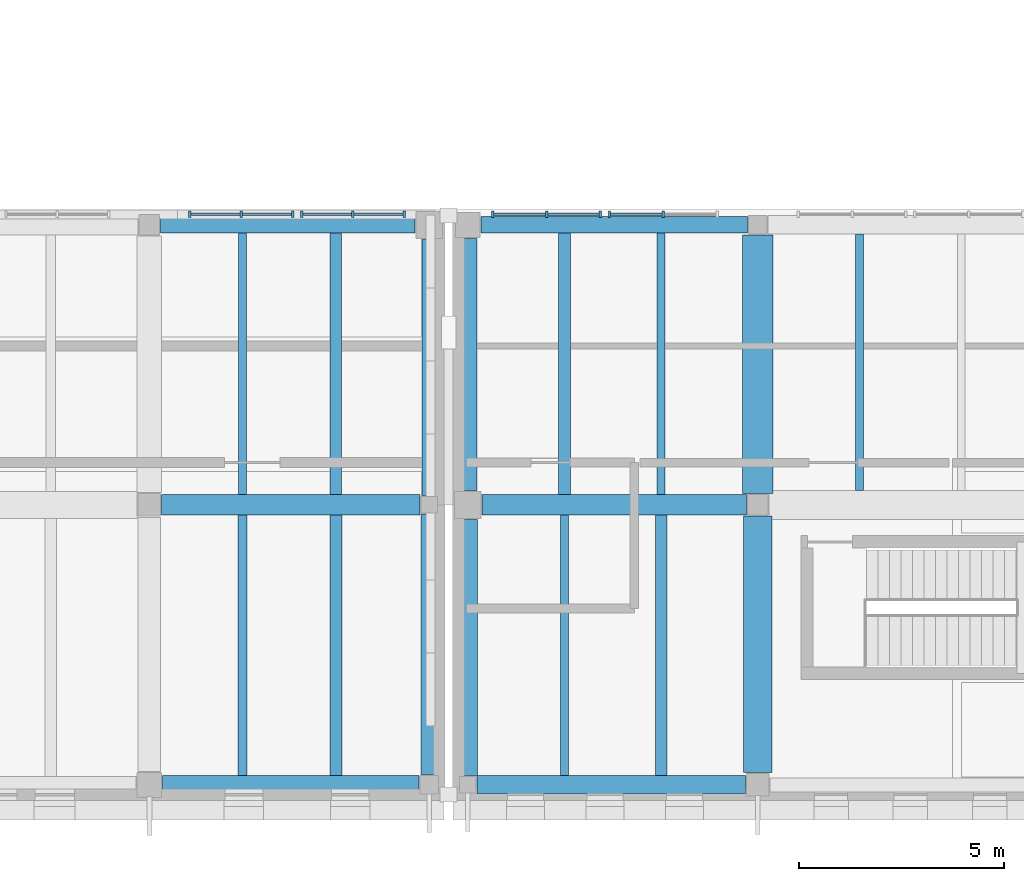
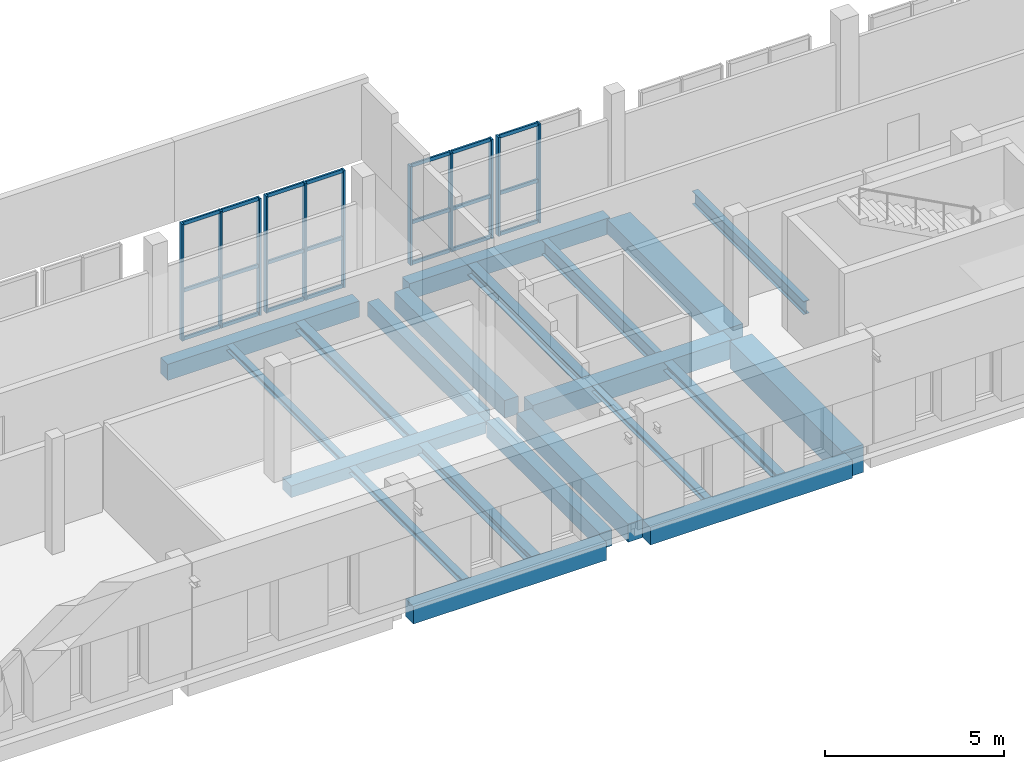
# One storey, part 17 of 76: 32 members, 21 beams, 4 elements without a shape of their own.
"""IFC4 building model written with IfcOpenShell, lengths in metres."""

import ifcopenshell
import ifcopenshell.guid

model = None  # the IFC model being written
_history = None  # IfcOwnerHistory: only IFC2X3 demands one
_inside = {}  # id of a spatial element -> (the spatial element, [elements in it])
_under = {}  # id of a project, library or spatial element -> (it, [spatial elements below it])
_declared = {}  # id of a project -> (the project, [libraries it declares])
_typed = {}  # id of a type object -> (the type object, [elements of that type])
_made_of = {}  # id of a material, layer set ... -> (it, [elements and type objects made of it])


def new_model(schema):
    """Start an empty IFC model of exactly this schema.

    Asked for "IFC4X3", IfcOpenShell would pick the latest addendum, in which some entities
    have other attributes; the version numbers below select the first issue.
    IFC2X3 requires an IfcOwnerHistory on every rooted entity: one is made here for all.
    """
    global model, _history
    if schema == "IFC4X3":
        model = ifcopenshell.file(schema_version=(4, 3, 0, 0))
    else:
        model = ifcopenshell.file(schema=schema)
    _inside.clear()
    _under.clear()
    _declared.clear()
    _typed.clear()
    _made_of.clear()
    _history = None
    if model.schema == "IFC2X3":
        org = make("IfcOrganization", Name="unknown")
        user = make(
            "IfcPersonAndOrganization",
            ThePerson=make("IfcPerson", FamilyName="unknown"),
            TheOrganization=org,
        )
        app = make(
            "IfcApplication",
            ApplicationDeveloper=org,
            Version="unknown",
            ApplicationFullName="unknown",
            ApplicationIdentifier="unknown",
        )
        _history = make(
            "IfcOwnerHistory",
            OwningUser=user,
            OwningApplication=app,
            ChangeAction="ADDED",
            CreationDate=0,
        )
    return model


def make(cls, **values):
    """One entity of the class cls with the attributes given. An attribute that is None is left unset."""
    return model.create_entity(
        cls, **{name: value for name, value in values.items() if value is not None}
    )


def rooted(cls, **values):
    """An entity with a GlobalId (a new one), such as an element, a storey or a relation."""
    return make(cls, GlobalId=ifcopenshell.guid.new(), OwnerHistory=_history, **values)


def si_unit(unit_type, name, prefix=None):
    """IfcSIUnit, for example si_unit("LENGTHUNIT", "METRE", prefix="MILLI")."""
    return make("IfcSIUnit", UnitType=unit_type, Prefix=prefix, Name=name)


def assignment(units):
    """IfcUnitAssignment: the units of a project."""
    return None if units is None else make("IfcUnitAssignment", Units=units)


def point(xyz):
    """IfcCartesianPoint."""
    return None if xyz is None else make("IfcCartesianPoint", Coordinates=xyz)


def direction(xyz):
    """IfcDirection."""
    return None if xyz is None else make("IfcDirection", DirectionRatios=xyz)


def frame(location, z_axis=None, x_axis=None):
    """IfcAxis2Placement3D, a coordinate frame: its origin and axes. An axis left out is left unset."""
    return make(
        "IfcAxis2Placement3D",
        Location=point(location),
        Axis=direction(z_axis),
        RefDirection=direction(x_axis),
    )


def frame_2d(location, x_axis=None):
    """IfcAxis2Placement2D, a coordinate frame in the plane: its origin and x axis."""
    return make(
        "IfcAxis2Placement2D", Location=point(location), RefDirection=direction(x_axis)
    )


def origin():
    """The frame at (0, 0, 0) with its axes left unset."""
    return frame((0.0, 0.0, 0.0))


def origin_2d():
    """The frame at (0, 0) in the plane with its x axis left unset."""
    return frame_2d((0.0, 0.0))


def place(relative_to, where):
    """IfcLocalPlacement: puts the frame where relative to a parent placement (None: the world)."""
    return make(
        "IfcLocalPlacement", PlacementRelTo=relative_to, RelativePlacement=where
    )


def context(
    kind, dimensions, precision=None, world=None, true_north=None, identifier=None
):
    """IfcGeometricRepresentationContext, for example the 3D "Model" context."""
    return make(
        "IfcGeometricRepresentationContext",
        ContextIdentifier=identifier,
        ContextType=kind,
        CoordinateSpaceDimension=dimensions,
        Precision=precision,
        WorldCoordinateSystem=world,
        TrueNorth=true_north,
    )


def subcontext(parent, identifier, kind, view, scale=None):
    """IfcGeometricRepresentationSubContext, for example "Body" below "Model"."""
    return make(
        "IfcGeometricRepresentationSubContext",
        ContextIdentifier=identifier,
        ContextType=kind,
        ParentContext=parent,
        TargetScale=scale,
        TargetView=view,
    )


def project(units=None, contexts=None):
    """IfcProject with its units and contexts."""
    return rooted(
        "IfcProject",
        Name="project",
        RepresentationContexts=contexts,
        UnitsInContext=assignment(units),
    )


def spatial(cls, under=None, at=None, **own):
    """A site, building, storey or space (cls), placed at a placement, below another one or the project."""
    s = rooted(cls, ObjectPlacement=at, **own)
    if under is not None:
        _under.setdefault(under.id(), (under, []))[1].append(s)
    return s


def profile(cls, at=None, kind="AREA", **sizes):
    """A parametric profile (cls). Its sizes go by their IFC names, for example OverallWidth=200.0."""
    return make(cls, ProfileType=kind, Position=at, **sizes)


def rectangle(**sizes):
    """IfcRectangleProfileDef."""
    return profile("IfcRectangleProfileDef", **sizes)


def i_section(**sizes):
    """IfcIShapeProfileDef."""
    return profile("IfcIShapeProfileDef", **sizes)


def extrude(swept, where, along, depth):
    """IfcExtrudedAreaSolid: the profile swept, set in the frame where, extruded along a direction by depth."""
    return make(
        "IfcExtrudedAreaSolid",
        SweptArea=swept,
        Position=where,
        ExtrudedDirection=direction(along),
        Depth=depth,
    )


def shape(context_of_items, identifier, shape_type, items):
    """IfcShapeRepresentation: the items that make up one representation, for example the "Body"."""
    return make(
        "IfcShapeRepresentation",
        ContextOfItems=context_of_items,
        RepresentationIdentifier=identifier,
        RepresentationType=shape_type,
        Items=items,
    )


def material(Name=None, Category=None):
    """IfcMaterial."""
    return make("IfcMaterial", Name=Name, Category=Category)


def layer(
    of_material, thickness, ventilated=None, Name=None, Category=None, Priority=None
):
    """IfcMaterialLayer: one layer of a wall or slab, of a material (None: an air gap)."""
    return make(
        "IfcMaterialLayer",
        Material=of_material,
        LayerThickness=thickness,
        IsVentilated=ventilated,
        Name=Name,
        Category=Category,
        Priority=Priority,
    )


def layer_set(layers, Name=None):
    """IfcMaterialLayerSet."""
    return make("IfcMaterialLayerSet", MaterialLayers=layers, LayerSetName=Name)


def material_profile(
    of_material, cross_section, Name=None, Category=None, Priority=None
):
    """IfcMaterialProfile: a cross section and its material."""
    return make(
        "IfcMaterialProfile",
        Name=Name,
        Material=of_material,
        Profile=cross_section,
        Priority=Priority,
        Category=Category,
    )


def profile_set(profiles, Name=None, composite=None):
    """IfcMaterialProfileSet."""
    return make(
        "IfcMaterialProfileSet",
        Name=Name,
        MaterialProfiles=profiles,
        CompositeProfile=composite,
    )


def made_of(thing, what):
    """Note that an element or type object is made of a material, layer set ...; save() writes the relation."""
    if what is not None:
        _made_of.setdefault(what.id(), (what, []))[1].append(thing)
    return thing


def type_object(cls, material=None, **own):
    """A type object (cls), such as IfcWallType, which elements share."""
    return made_of(rooted(cls, **own), material)


def element(
    cls,
    number,
    at=None,
    inside=None,
    cuts=None,
    type_object=None,
    material=None,
    context=None,
    identifier="Body",
    shape_type=None,
    held_by="IfcProductDefinitionShape",
    body=None,
    shapes=None,
    **own,
):
    """One element of the class cls, such as IfcWall. Its Tag is "e" and its number.

    at: its placement. inside: the storey or other place that contains it. cuts: it is an
    opening in that element (IfcRelVoidsElement). A single representation is given by context,
    identifier, shape_type and body (its items); several are given by shapes. held_by: the class
    of the entity that holds the representations. save() writes the other relations.
    """
    e = rooted(cls, Tag="e%d" % number, ObjectPlacement=at, **own)
    if body is not None:
        shapes = [shape(context, identifier, shape_type, body)]
    if shapes is not None:
        e.Representation = make(held_by, Representations=shapes)
    if inside is not None:
        _inside.setdefault(inside.id(), (inside, []))[1].append(e)
    if cuts is not None:
        rooted(
            "IfcRelVoidsElement", RelatingBuildingElement=cuts, RelatedOpeningElement=e
        )
    if type_object is not None:
        _typed.setdefault(type_object.id(), (type_object, []))[1].append(e)
    return made_of(e, material)


def aggregate(whole, parts):
    """IfcRelAggregates: a whole, such as a stair, and the parts it consists of."""
    return rooted("IfcRelAggregates", RelatingObject=whole, RelatedObjects=parts)


def save(model, path):
    """Write the relations noted so far, then the file.

    IfcRelAggregates (storeys below a building ...), IfcRelContainedInSpatialStructure (elements
    in a storey), IfcRelDefinesByType, IfcRelAssociatesMaterial and IfcRelDeclares: one each for
    every whole, place, type object, material and project.
    """
    for whole, parts in _under.values():
        aggregate(whole, parts)
    for where, things in _inside.values():
        rooted(
            "IfcRelContainedInSpatialStructure",
            RelatedElements=things,
            RelatingStructure=where,
        )
    for kind, things in _typed.values():
        rooted("IfcRelDefinesByType", RelatedObjects=things, RelatingType=kind)
    for what, things in _made_of.values():
        rooted("IfcRelAssociatesMaterial", RelatedObjects=things, RelatingMaterial=what)
    for by, libraries in _declared.values():
        rooted("IfcRelDeclares", RelatingContext=by, RelatedDefinitions=libraries)
    model.write(path)


model = new_model("IFC4")

# Units and contexts
model_context = context("Model", 3, precision=1e-05, world=origin(), true_north=direction((0.0, 1.0)))
body_context = subcontext(model_context, "Body", "Model", "MODEL_VIEW")
ifc_project = project(units=[si_unit("LENGTHUNIT", "METRE"), si_unit("AREAUNIT", "SQUARE_METRE"), si_unit("VOLUMEUNIT", "CUBIC_METRE"), si_unit("PLANEANGLEUNIT", "RADIAN"), si_unit("MASSUNIT", "GRAM", prefix="KILO")], contexts=[model_context])

# Site, building, storey
site_placement = place(None, origin())
site = spatial("IfcSite", under=ifc_project, at=site_placement, CompositionType="ELEMENT")
building_placement = place(site_placement, origin())
building = spatial("IfcBuilding", under=site, at=building_placement, Name="Vardoun Plaza Health Centre", CompositionType="ELEMENT")
storey_placement = place(building_placement, frame((0.0, 0.0, 4.5)))
storey = spatial("IfcBuildingStorey", under=building, at=storey_placement, Name="L01", CompositionType="ELEMENT", Elevation=4.5)

# Beams
ifc_material_1 = material(Name="Concrete C35/45", Category="concrete")
ifc_material_profile_1 = material_profile(ifc_material_1, rectangle(XDim=0.35009765625, YDim=0.5, at=origin_2d()), Name="RC-BM 350x500")
ifc_profile_set_1 = profile_set([ifc_material_profile_1], Name="Concrete C35/45")
beam_type_1 = type_object("IfcBeamType", Name="B-08", PredefinedType="SPANDREL", material=ifc_profile_set_1)
beam_1_placement = place(storey_placement, frame((105.10009765625, 11.925048828125, -0.56494140625), z_axis=(0.0, 1.0, 0.0), x_axis=(-1.0, 0.0, 0.0)))
element("IfcBeam", 1, at=beam_1_placement, inside=storey, type_object=beam_type_1, Name="V4 L01 Beam B-V4-L01-Y40", PredefinedType="SPANDREL", context=body_context, shape_type="SweptSolid", body=[
    extrude(rectangle(XDim=0.35009765625, YDim=0.5, at=origin_2d()), origin(), (0.0, 0.0, 1.0), 6.244873046875),
])
ifc_material_2 = material(Name="Concrete C35/45", Category="concrete")
ifc_material_profile_2 = material_profile(ifc_material_2, rectangle(XDim=0.39990234375, YDim=0.550048828125, at=origin_2d()), Name="RC-BM 400x550")
ifc_profile_set_2 = profile_set([ifc_material_profile_2], Name="Concrete C35/45")
beam_type_2 = type_object("IfcBeamType", Name="B-09", PredefinedType="SPANDREL", material=ifc_profile_set_2)
beam_2_placement = place(storey_placement, frame((98.554931640625, 18.52001953125, -0.590087890625), z_axis=(1.0, 0.0, 0.0), x_axis=(0.0, 1.0, 0.0)))
element("IfcBeam", 2, at=beam_2_placement, inside=storey, type_object=beam_type_2, Name="V4 L01 Beam B-V4-L01-X24", PredefinedType="SPANDREL", context=body_context, shape_type="SweptSolid", body=[
    extrude(rectangle(XDim=0.39990234375, YDim=0.550048828125, at=origin_2d()), origin(), (0.0, 0.0, 1.0), 6.195068359375),
])
beam_3_placement = place(storey_placement, frame((105.10009765625, 5.1298828125, -0.590087890625), z_axis=(0.0, 1.0, 0.0), x_axis=(-1.0, 0.0, 0.0)))
element("IfcBeam", 3, at=beam_3_placement, inside=storey, type_object=beam_type_2, Name="V4 L01 Beam B-V4-L01-Y39", PredefinedType="SPANDREL", context=body_context, shape_type="SweptSolid", body=[
    extrude(rectangle(XDim=0.39990234375, YDim=0.550048828125, at=origin_2d()), origin(), (0.0, 0.0, 1.0), 6.34521484375),
])
beam_4_placement = place(storey_placement, frame((106.364990234375, 18.52001953125, -0.570068359375), z_axis=(1.0, 0.0, 0.0), x_axis=(0.0, 1.0, 0.0)))
element("IfcBeam", 4, at=beam_4_placement, inside=storey, type_object=beam_type_2, Name="V5 L01 Beam B-V5-L01-X03", PredefinedType="SPANDREL", context=body_context, shape_type="SweptSolid", body=[
    extrude(rectangle(XDim=0.39990234375, YDim=0.550048828125, at=origin_2d()), origin(), (0.0, 0.0, 1.0), 6.485107421875),
])
ifc_material_3 = material(Name="Concrete C35/45", Category="concrete")
ifc_material_profile_3 = material_profile(ifc_material_3, rectangle(XDim=0.449951171875, YDim=0.60009765625, at=origin_2d()), Name="RC-BM 450x600")
ifc_profile_set_3 = profile_set([ifc_material_profile_3], Name="Concrete C35/45")
beam_type_3 = type_object("IfcBeamType", Name="B-11", PredefinedType="SPANDREL", material=ifc_profile_set_3)
beam_5_placement = place(storey_placement, frame((98.60498046875, 4.8798828125, -0.614990234375), z_axis=(1.0, 0.0, 0.0), x_axis=(0.0, 1.0, 0.0)))
element("IfcBeam", 5, at=beam_5_placement, inside=storey, type_object=beam_type_3, Name="V4 L01 Beam B-V4-L01-X22", PredefinedType="SPANDREL", context=body_context, shape_type="SweptSolid", body=[
    extrude(rectangle(XDim=0.449951171875, YDim=0.60009765625, at=origin_2d()), origin(), (0.0, 0.0, 1.0), 6.2451171875),
])
beam_6_placement = place(storey_placement, frame((106.264892578125, 4.8798828125, -0.594970703125), z_axis=(1.0, 0.0, 0.0), x_axis=(0.0, 1.0, 0.0)))
element("IfcBeam", 6, at=beam_6_placement, inside=storey, type_object=beam_type_3, Name="V5 L01 Beam B-V5-L01-X01", PredefinedType="SPANDREL", context=body_context, shape_type="SweptSolid", body=[
    extrude(rectangle(XDim=0.449951171875, YDim=0.60009765625, at=origin_2d()), origin(), (0.0, 0.0, 1.0), 6.53515625),
])
beam_7_placement = place(storey_placement, frame((106.0400390625, 12.050048828125, -0.594970703125), z_axis=(0.0, 1.0, 0.0), x_axis=(-1.0, 0.0, 0.0)))
element("IfcBeam", 7, at=beam_7_placement, inside=storey, type_object=beam_type_3, Name="V5 L01 Beam B-V5-L01-Y26", PredefinedType="SPANDREL", context=body_context, shape_type="SweptSolid", body=[
    extrude(rectangle(XDim=0.449951171875, YDim=0.60009765625, at=origin_2d()), origin(), (0.0, 0.0, 1.0), 6.14501953125),
])
ifc_material_4 = material(Name="Concrete C35/45", Category="concrete")
ifc_material_profile_4 = material_profile(ifc_material_4, rectangle(XDim=0.47998046875, YDim=0.6201171875, at=origin_2d()), Name="RC-BM 480x620")
ifc_profile_set_4 = profile_set([ifc_material_profile_4], Name="Concrete C35/45")
beam_type_4 = type_object("IfcBeamType", Name="B-12", PredefinedType="SPANDREL", material=ifc_profile_set_4)
beam_8_placement = place(storey_placement, frame((106.0400390625, 5.10498046875, -0.60498046875), z_axis=(0.0, 1.0, 0.0), x_axis=(-1.0, 0.0, 0.0)))
element("IfcBeam", 8, at=beam_8_placement, inside=storey, type_object=beam_type_4, Name="V5 L01 Beam B-V5-L01-Y25", PredefinedType="SPANDREL", context=body_context, shape_type="SweptSolid", body=[
    extrude(rectangle(XDim=0.47998046875, YDim=0.6201171875, at=origin_2d()), origin(), (0.0, 0.0, 1.0), 6.2451171875),
])
ifc_material_5 = material(Name="Concrete C35/45", Category="concrete")
ifc_material_profile_5 = material_profile(ifc_material_5, rectangle(XDim=0.5, YDim=0.39990234375, at=origin_2d()), Name="RC-BM 500x400")
ifc_profile_set_5 = profile_set([ifc_material_profile_5], Name="Concrete C35/45")
beam_type_5 = type_object("IfcBeamType", Name="B-02", PredefinedType="BEAM", material=ifc_profile_set_5)
beam_9_placement = place(storey_placement, frame((98.580078125, 11.699951171875, -0.514892578125), z_axis=(1.0, 0.0, 0.0), x_axis=(0.0, 1.0, 0.0)))
element("IfcBeam", 9, at=beam_9_placement, inside=storey, type_object=beam_type_5, Name="V4 L01 Beam B-V4-L01-X23", PredefinedType="BEAM", context=body_context, shape_type="SweptSolid", body=[
    extrude(rectangle(XDim=0.5, YDim=0.39990234375, at=origin_2d()), origin(), (0.0, 0.0, 1.0), 6.294921875),
])
ifc_material_6 = material(Name="Concrete C40/50", Category="concrete")
ifc_material_profile_6 = material_profile(ifc_material_6, rectangle(XDim=0.5, YDim=0.64990234375, at=origin_2d()), Name="RC-BM 500x650")
ifc_profile_set_6 = profile_set([ifc_material_profile_6], Name="Concrete C40/50")
beam_type_6 = type_object("IfcBeamType", Name="B-13", PredefinedType="BEAM", material=ifc_profile_set_6)
beam_10_placement = place(storey_placement, frame((106.389892578125, 11.699951171875, -0.6201171875), z_axis=(1.0, 0.0, 0.0), x_axis=(0.0, 1.0, 0.0)))
element("IfcBeam", 10, at=beam_10_placement, inside=storey, type_object=beam_type_6, Name="V5 L01 Beam B-V5-L01-X02", PredefinedType="BEAM", context=body_context, shape_type="SweptSolid", body=[
    extrude(rectangle(XDim=0.5, YDim=0.64990234375, at=origin_2d()), origin(), (0.0, 0.0, 1.0), 6.43505859375),
])
ifc_material_7 = material(Name="Concrete C40/50", Category="concrete")
ifc_material_profile_7 = material_profile(ifc_material_7, rectangle(XDim=0.699951171875, YDim=0.949951171875, at=origin_2d()), Name="RC-BM 700x950")
ifc_profile_set_7 = profile_set([ifc_material_profile_7], Name="Concrete C40/50")
beam_type_7 = type_object("IfcBeamType", Name="B-16", PredefinedType="LINTEL", material=ifc_profile_set_7)
beam_11_placement = place(storey_placement, frame((113.10009765625, 5.179931640625, -0.77001953125), z_axis=(0.0, 1.0, 0.0), x_axis=(-1.0, 0.0, 0.0)))
element("IfcBeam", 11, at=beam_11_placement, inside=storey, type_object=beam_type_7, Name="V5 L01 Beam B-V5-L01-Y27", PredefinedType="LINTEL", context=body_context, shape_type="SweptSolid", body=[
    extrude(rectangle(XDim=0.699951171875, YDim=0.949951171875, at=origin_2d()), origin(), (0.0, 0.0, 1.0), 6.2451171875),
])
ifc_material_8 = material(Name="Concrete C35/45", Category="concrete")
ifc_material_profile_8 = material_profile(ifc_material_8, rectangle(XDim=0.75, YDim=0.47998046875, at=origin_2d()), Name="RC-BM 750x480")
ifc_profile_set_8 = profile_set([ifc_material_profile_8], Name="Concrete C35/45")
beam_type_8 = type_object("IfcBeamType", Name="B-07", PredefinedType="BEAM", material=ifc_profile_set_8)
beam_12_placement = place(storey_placement, frame((113.10009765625, 11.97509765625, -0.534912109375), z_axis=(0.0, 1.0, 0.0), x_axis=(-1.0, 0.0, 0.0)))
element("IfcBeam", 12, at=beam_12_placement, inside=storey, type_object=beam_type_8, Name="V5 L01 Beam B-V5-L01-Y28", PredefinedType="BEAM", context=body_context, shape_type="SweptSolid", body=[
    extrude(rectangle(XDim=0.75, YDim=0.47998046875, at=origin_2d()), origin(), (0.0, 0.0, 1.0), 6.294921875),
])
ifc_material_9 = material(Name="Steel S355J2", Category="steel")
ifc_material_profile_9 = material_profile(ifc_material_9, i_section(OverallWidth=0.199951171875, OverallDepth=0.18994140625, WebThickness=0.006591796875, FlangeThickness=0.010009765625, FilletRadius=0.01806640625, at=origin_2d()), Name="HEA 200")
ifc_profile_set_9 = profile_set([ifc_material_profile_9], Name="Steel S355J2")
beam_type_9 = type_object("IfcBeamType", Name="SB-09", PredefinedType="BEAM", material=ifc_profile_set_9)
beam_13_placement = place(storey_placement, frame((100.552978515625, 11.949951171875, -0.409912109375), z_axis=(0.0, 1.0, 0.0), x_axis=(-1.0, 0.0, 0.0)))
element("IfcBeam", 13, at=beam_13_placement, inside=storey, type_object=beam_type_9, Name="V4 L01 Secondary Floor Beam SJ-V4-L01-22", PredefinedType="BEAM", context=body_context, shape_type="SweptSolid", body=[
    extrude(i_section(OverallWidth=0.199951171875, OverallDepth=0.18994140625, WebThickness=0.006591796875, FlangeThickness=0.010009765625, FilletRadius=0.01806640625, at=origin_2d()), origin(), (0.0, 0.0, 1.0), 6.3701171875),
])
beam_14_placement = place(storey_placement, frame((108.39306640625, 5.10498046875, -0.389892578125), z_axis=(0.0, 1.0, 0.0), x_axis=(-1.0, 0.0, 0.0)))
element("IfcBeam", 14, at=beam_14_placement, inside=storey, type_object=beam_type_9, Name="V5 L01 Secondary Floor Beam SJ-V5-L01-01", PredefinedType="BEAM", context=body_context, shape_type="SweptSolid", body=[
    extrude(i_section(OverallWidth=0.199951171875, OverallDepth=0.18994140625, WebThickness=0.006591796875, FlangeThickness=0.010009765625, FilletRadius=0.01806640625, at=origin_2d()), origin(), (0.0, 0.0, 1.0), 6.344970703125),
])
ifc_material_10 = material(Name="Steel S355J2", Category="steel")
ifc_material_profile_10 = material_profile(ifc_material_10, i_section(OverallWidth=0.219970703125, OverallDepth=0.2099609375, WebThickness=0.007080078125, FlangeThickness=0.010986328125, FilletRadius=0.01806640625, at=origin_2d()), Name="HEA 220")
ifc_profile_set_10 = profile_set([ifc_material_profile_10], Name="Steel S355J2")
beam_type_10 = type_object("IfcBeamType", Name="SB-08", PredefinedType="BEAM", material=ifc_profile_set_10)
beam_15_placement = place(storey_placement, frame((100.552978515625, 5.10498046875, -0.419921875), z_axis=(0.0, 1.0, 0.0), x_axis=(-1.0, 0.0, 0.0)))
element("IfcBeam", 15, at=beam_15_placement, inside=storey, type_object=beam_type_10, Name="V4 L01 Secondary Floor Beam SJ-V4-L01-21", PredefinedType="BEAM", context=body_context, shape_type="SweptSolid", body=[
    extrude(i_section(OverallWidth=0.219970703125, OverallDepth=0.2099609375, WebThickness=0.007080078125, FlangeThickness=0.010986328125, FilletRadius=0.01806640625, at=origin_2d()), origin(), (0.0, 0.0, 1.0), 6.344970703125),
])
ifc_material_11 = material(Name="Steel S355J2", Category="steel")
ifc_material_profile_11 = material_profile(ifc_material_11, i_section(OverallWidth=0.280029296875, OverallDepth=0.280029296875, WebThickness=0.010498046875, FlangeThickness=0.01806640625, FilletRadius=0.02392578125, at=origin_2d()), Name="HEB 280")
ifc_profile_set_11 = profile_set([ifc_material_profile_11], Name="Steel S355J2")
beam_type_11 = type_object("IfcBeamType", Name="SB-02", PredefinedType="BEAM", material=ifc_profile_set_11)
beam_16_placement = place(storey_placement, frame((102.826904296875, 11.949951171875, -0.455078125), z_axis=(0.0, 1.0, 0.0), x_axis=(-1.0, 0.0, 0.0)))
element("IfcBeam", 16, at=beam_16_placement, inside=storey, type_object=beam_type_11, Name="V4 L01 Secondary Floor Beam SJ-V4-L01-24", PredefinedType="BEAM", context=body_context, shape_type="SweptSolid", body=[
    extrude(i_section(OverallWidth=0.280029296875, OverallDepth=0.280029296875, WebThickness=0.010498046875, FlangeThickness=0.01806640625, FilletRadius=0.02392578125, at=origin_2d()), origin(), (0.0, 0.0, 1.0), 6.3701171875),
])
beam_17_placement = place(storey_placement, frame((110.7470703125, 5.10498046875, -0.43505859375), z_axis=(0.0, 1.0, 0.0), x_axis=(-1.0, 0.0, 0.0)))
element("IfcBeam", 17, at=beam_17_placement, inside=storey, type_object=beam_type_11, Name="V5 L01 Secondary Floor Beam SJ-V5-L01-03", PredefinedType="BEAM", context=body_context, shape_type="SweptSolid", body=[
    extrude(i_section(OverallWidth=0.280029296875, OverallDepth=0.280029296875, WebThickness=0.010498046875, FlangeThickness=0.01806640625, FilletRadius=0.02392578125, at=origin_2d()), origin(), (0.0, 0.0, 1.0), 6.344970703125),
])
ifc_material_12 = material(Name="Steel S355J2", Category="steel")
ifc_material_profile_12 = material_profile(ifc_material_12, i_section(OverallWidth=0.300048828125, OverallDepth=0.360107421875, WebThickness=0.012451171875, FlangeThickness=0.0224609375, FilletRadius=0.027099609375, at=origin_2d()), Name="HEB 360")
ifc_profile_set_12 = profile_set([ifc_material_profile_12], Name="Steel S355J2")
beam_type_12 = type_object("IfcBeamType", Name="RB-04", PredefinedType="BEAM", material=ifc_profile_set_12)
beam_18_placement = place(storey_placement, frame((102.826904296875, 5.10498046875, -0.4951171875), z_axis=(0.0, 1.0, 0.0), x_axis=(-1.0, 0.0, 0.0)))
element("IfcBeam", 18, at=beam_18_placement, inside=storey, type_object=beam_type_12, Name="V4 L01 Secondary Floor Beam SJ-V4-L01-23", PredefinedType="BEAM", context=body_context, shape_type="SweptSolid", body=[
    extrude(i_section(OverallWidth=0.300048828125, OverallDepth=0.360107421875, WebThickness=0.012451171875, FlangeThickness=0.0224609375, FilletRadius=0.027099609375, at=origin_2d()), origin(), (0.0, 0.0, 1.0), 6.344970703125),
])
beam_19_placement = place(storey_placement, frame((108.39306640625, 11.949951171875, -0.47509765625), z_axis=(0.0, 1.0, 0.0), x_axis=(-1.0, 0.0, 0.0)))
element("IfcBeam", 19, at=beam_19_placement, inside=storey, type_object=beam_type_12, Name="V5 L01 Secondary Floor Beam SJ-V5-L01-02", PredefinedType="BEAM", context=body_context, shape_type="SweptSolid", body=[
    extrude(i_section(OverallWidth=0.300048828125, OverallDepth=0.360107421875, WebThickness=0.012451171875, FlangeThickness=0.0224609375, FilletRadius=0.027099609375, at=origin_2d()), origin(), (0.0, 0.0, 1.0), 6.3701171875),
])
ifc_material_13 = material(Name="Steel S355J2", Category="steel")
ifc_material_profile_13 = material_profile(ifc_material_13, i_section(OverallWidth=0.18994140625, OverallDepth=0.449951171875, WebThickness=0.009521484375, FlangeThickness=0.0146484375, FilletRadius=0.02099609375, at=origin_2d()), Name="IPE 450")
ifc_profile_set_13 = profile_set([ifc_material_profile_13], Name="Steel S355J2")
beam_type_13 = type_object("IfcBeamType", Name="SB-11", PredefinedType="BEAM", material=ifc_profile_set_13)
beam_20_placement = place(storey_placement, frame((115.579833984375, 12.050048828125, -0.52099609375), z_axis=(0.0, 1.0, 0.0), x_axis=(-1.0, 0.0, 0.0)))
element("IfcBeam", 20, at=beam_20_placement, inside=storey, type_object=beam_type_13, Name="V5 L01 Secondary Floor Beam SJ-V5-L01-05", PredefinedType="BEAM", context=body_context, shape_type="SweptSolid", body=[
    extrude(i_section(OverallWidth=0.18994140625, OverallDepth=0.449951171875, WebThickness=0.009521484375, FlangeThickness=0.0146484375, FilletRadius=0.02099609375, at=origin_2d()), origin(), (0.0, 0.0, 1.0), 6.244873046875),
])
ifc_material_14 = material(Name="Steel S355J2", Category="steel")
ifc_material_profile_14 = material_profile(ifc_material_14, i_section(OverallWidth=0.199951171875, OverallDepth=0.5, WebThickness=0.01025390625, FlangeThickness=0.01611328125, FilletRadius=0.02099609375, at=origin_2d()), Name="IPE 500")
ifc_profile_set_14 = profile_set([ifc_material_profile_14], Name="Steel S355J2")
beam_type_14 = type_object("IfcBeamType", Name="SB-10", PredefinedType="BEAM", material=ifc_profile_set_14)
beam_21_placement = place(storey_placement, frame((110.7470703125, 11.949951171875, -0.544921875), z_axis=(0.0, 1.0, 0.0), x_axis=(-1.0, 0.0, 0.0)))
element("IfcBeam", 21, at=beam_21_placement, inside=storey, type_object=beam_type_14, Name="V5 L01 Secondary Floor Beam SJ-V5-L01-04", PredefinedType="BEAM", context=body_context, shape_type="SweptSolid", body=[
    extrude(i_section(OverallWidth=0.199951171875, OverallDepth=0.5, WebThickness=0.01025390625, FlangeThickness=0.01611328125, FilletRadius=0.02099609375, at=origin_2d()), origin(), (0.0, 0.0, 1.0), 6.3701171875),
])

# Curtain wall, members
ifc_material_15 = material(Name="Aluminium Alloy EN AW-6063-T6 and Low-E Glass", Category="aluminium")
ifc_layer = layer(ifc_material_15, 0.14990234375)
ifc_layer_set = layer_set([ifc_layer], Name="Aluminium Alloy EN AW-6063-T6 and Low-E Glass")
curtain_wall_type = type_object("IfcCurtainWallType", Name="CW-03", PredefinedType="NOTDEFINED", material=ifc_layer_set)
curtain_wall_1_placement = place(storey_placement, origin())
curtain_wall_1 = element("IfcCurtainWall", 22, at=curtain_wall_1_placement, inside=storey, type_object=curtain_wall_type, Name="Curtain Wall CW-V4-131", PredefinedType="NOTDEFINED")
ifc_material_16 = material(Name="Aluminium Alloy EN AW-6063-T6", Category="aluminium")
ifc_material_profile_15 = material_profile(ifc_material_16, rectangle(XDim=0.159912109375, YDim=0.06005859375, at=origin_2d()), Name="CWM 60x160")
ifc_profile_set_15 = profile_set([ifc_material_profile_15], Name="Aluminium Alloy EN AW-6063-T6")
member_type_1 = type_object("IfcMemberType", Name="CW-M1", PredefinedType="MULLION", material=ifc_profile_set_15)
member_1_placement = place(storey_placement, frame((99.27001953125, 18.780029296875, 0.0), z_axis=(0.0, 0.0, 1.0), x_axis=(0.0, 1.0, 0.0)))
member_1 = element("IfcMember", 23, at=member_1_placement, type_object=member_type_1, Name="CW-V4-131 mullion 1", PredefinedType="MULLION", context=body_context, shape_type="SweptSolid", body=[
    extrude(rectangle(XDim=0.159912109375, YDim=0.06005859375, at=origin_2d()), origin(), (0.0, 0.0, 1.0), 3.9951171875),
])
member_2_placement = place(storey_placement, frame((100.52001953125, 18.780029296875, 0.0), z_axis=(0.0, 0.0, 1.0), x_axis=(0.0, 1.0, 0.0)))
member_2 = element("IfcMember", 24, at=member_2_placement, type_object=member_type_1, Name="CW-V4-131 mullion 2", PredefinedType="MULLION", context=body_context, shape_type="SweptSolid", body=[
    extrude(rectangle(XDim=0.159912109375, YDim=0.06005859375, at=origin_2d()), origin(), (0.0, 0.0, 1.0), 3.9951171875),
])
member_3_placement = place(storey_placement, frame((101.77001953125, 18.780029296875, 0.0), z_axis=(0.0, 0.0, 1.0), x_axis=(0.0, 1.0, 0.0)))
member_3 = element("IfcMember", 25, at=member_3_placement, type_object=member_type_1, Name="CW-V4-131 mullion 3", PredefinedType="MULLION", context=body_context, shape_type="SweptSolid", body=[
    extrude(rectangle(XDim=0.159912109375, YDim=0.06005859375, at=origin_2d()), origin(), (0.0, 0.0, 1.0), 3.9951171875),
])

curtain_wall_2_placement = place(storey_placement, origin())
curtain_wall_2 = element("IfcCurtainWall", 26, at=curtain_wall_2_placement, inside=storey, type_object=curtain_wall_type, Name="Curtain Wall CW-V4-132", PredefinedType="NOTDEFINED")
member_4_placement = place(storey_placement, frame((101.989990234375, 18.780029296875, 0.0), z_axis=(0.0, 0.0, 1.0), x_axis=(0.0, 1.0, 0.0)))
member_4 = element("IfcMember", 27, at=member_4_placement, type_object=member_type_1, Name="CW-V4-132 mullion 1", PredefinedType="MULLION", context=body_context, shape_type="SweptSolid", body=[
    extrude(rectangle(XDim=0.159912109375, YDim=0.06005859375, at=origin_2d()), origin(), (0.0, 0.0, 1.0), 3.9951171875),
])
member_5_placement = place(storey_placement, frame((103.239990234375, 18.780029296875, 0.0), z_axis=(0.0, 0.0, 1.0), x_axis=(0.0, 1.0, 0.0)))
member_5 = element("IfcMember", 28, at=member_5_placement, type_object=member_type_1, Name="CW-V4-132 mullion 2", PredefinedType="MULLION", context=body_context, shape_type="SweptSolid", body=[
    extrude(rectangle(XDim=0.159912109375, YDim=0.06005859375, at=origin_2d()), origin(), (0.0, 0.0, 1.0), 3.9951171875),
])
member_6_placement = place(storey_placement, frame((104.489990234375, 18.780029296875, 0.0), z_axis=(0.0, 0.0, 1.0), x_axis=(0.0, 1.0, 0.0)))
member_6 = element("IfcMember", 29, at=member_6_placement, type_object=member_type_1, Name="CW-V4-132 mullion 3", PredefinedType="MULLION", context=body_context, shape_type="SweptSolid", body=[
    extrude(rectangle(XDim=0.159912109375, YDim=0.06005859375, at=origin_2d()), origin(), (0.0, 0.0, 1.0), 3.9951171875),
])

curtain_wall_3_placement = place(storey_placement, origin())
curtain_wall_3 = element("IfcCurtainWall", 30, at=curtain_wall_3_placement, inside=storey, type_object=curtain_wall_type, Name="Curtain Wall CW-V5-149", PredefinedType="NOTDEFINED")
member_7_placement = place(storey_placement, frame((106.650146484375, 18.780029296875, 0.0), z_axis=(0.0, 0.0, 1.0), x_axis=(0.0, 1.0, 0.0)))
member_7 = element("IfcMember", 31, at=member_7_placement, type_object=member_type_1, Name="CW-V5-149 mullion 1", PredefinedType="MULLION", context=body_context, shape_type="SweptSolid", body=[
    extrude(rectangle(XDim=0.159912109375, YDim=0.06005859375, at=origin_2d()), origin(), (0.0, 0.0, 1.0), 3.389892578125),
])
member_8_placement = place(storey_placement, frame((107.9599609375, 18.780029296875, 0.0), z_axis=(0.0, 0.0, 1.0), x_axis=(0.0, 1.0, 0.0)))
member_8 = element("IfcMember", 32, at=member_8_placement, type_object=member_type_1, Name="CW-V5-149 mullion 2", PredefinedType="MULLION", context=body_context, shape_type="SweptSolid", body=[
    extrude(rectangle(XDim=0.159912109375, YDim=0.06005859375, at=origin_2d()), origin(), (0.0, 0.0, 1.0), 3.389892578125),
])
member_9_placement = place(storey_placement, frame((109.27001953125, 18.780029296875, 0.0), z_axis=(0.0, 0.0, 1.0), x_axis=(0.0, 1.0, 0.0)))
member_9 = element("IfcMember", 33, at=member_9_placement, type_object=member_type_1, Name="CW-V5-149 mullion 3", PredefinedType="MULLION", context=body_context, shape_type="SweptSolid", body=[
    extrude(rectangle(XDim=0.159912109375, YDim=0.06005859375, at=origin_2d()), origin(), (0.0, 0.0, 1.0), 3.389892578125),
])

curtain_wall_4_placement = place(storey_placement, origin())
curtain_wall_4 = element("IfcCurtainWall", 34, at=curtain_wall_4_placement, inside=storey, type_object=curtain_wall_type, Name="Curtain Wall CW-V5-150", PredefinedType="NOTDEFINED")
member_10_placement = place(storey_placement, frame((109.489990234375, 18.780029296875, 0.0), z_axis=(0.0, 0.0, 1.0), x_axis=(0.0, 1.0, 0.0)))
member_10 = element("IfcMember", 35, at=member_10_placement, type_object=member_type_1, Name="CW-V5-150 mullion 1", PredefinedType="MULLION", context=body_context, shape_type="SweptSolid", body=[
    extrude(rectangle(XDim=0.159912109375, YDim=0.06005859375, at=origin_2d()), origin(), (0.0, 0.0, 1.0), 3.389892578125),
])
member_11_placement = place(storey_placement, frame((110.800048828125, 18.780029296875, 0.0), z_axis=(0.0, 0.0, 1.0), x_axis=(0.0, 1.0, 0.0)))
member_11 = element("IfcMember", 36, at=member_11_placement, type_object=member_type_1, Name="CW-V5-150 mullion 2", PredefinedType="MULLION", context=body_context, shape_type="SweptSolid", body=[
    extrude(rectangle(XDim=0.159912109375, YDim=0.06005859375, at=origin_2d()), origin(), (0.0, 0.0, 1.0), 3.389892578125),
])

# Member
ifc_material_17 = material(Name="Aluminium Alloy EN AW-6063-T6", Category="aluminium")
ifc_material_profile_16 = material_profile(ifc_material_17, rectangle(XDim=0.06005859375, YDim=0.1201171875, at=origin_2d()), Name="CWT 60x120")
ifc_profile_set_16 = profile_set([ifc_material_profile_16], Name="Aluminium Alloy EN AW-6063-T6")
member_type_2 = type_object("IfcMemberType", Name="CW-T1", PredefinedType="USERDEFINED", material=ifc_profile_set_16)
member_12_placement = place(storey_placement, frame((99.300048828125, 18.780029296875, 0.030029296875), z_axis=(1.0, 0.0, 0.0), x_axis=(0.0, 1.0, 0.0)))
member_12 = element("IfcMember", 37, at=member_12_placement, type_object=member_type_2, Name="CW-V4-131 transom 1.1", ObjectType="TRANSOM", PredefinedType="USERDEFINED", context=body_context, shape_type="SweptSolid", body=[
    extrude(rectangle(XDim=0.06005859375, YDim=0.1201171875, at=origin_2d()), origin(), (0.0, 0.0, 1.0), 1.18994140625),
])

member_13_placement = place(storey_placement, frame((99.300048828125, 18.780029296875, 1.677978515625), z_axis=(1.0, 0.0, 0.0), x_axis=(0.0, 1.0, 0.0)))
member_13 = element("IfcMember", 38, at=member_13_placement, type_object=member_type_2, Name="CW-V4-131 transom 1.2", ObjectType="TRANSOM", PredefinedType="USERDEFINED", context=body_context, shape_type="SweptSolid", body=[
    extrude(rectangle(XDim=0.06005859375, YDim=0.1201171875, at=origin_2d()), origin(), (0.0, 0.0, 1.0), 1.18994140625),
])

member_14_placement = place(storey_placement, frame((99.300048828125, 18.780029296875, 3.965087890625), z_axis=(1.0, 0.0, 0.0), x_axis=(0.0, 1.0, 0.0)))
member_14 = element("IfcMember", 39, at=member_14_placement, type_object=member_type_2, Name="CW-V4-131 transom 1.3", ObjectType="TRANSOM", PredefinedType="USERDEFINED", context=body_context, shape_type="SweptSolid", body=[
    extrude(rectangle(XDim=0.06005859375, YDim=0.1201171875, at=origin_2d()), origin(), (0.0, 0.0, 1.0), 1.18994140625),
])

member_15_placement = place(storey_placement, frame((100.550048828125, 18.780029296875, 0.030029296875), z_axis=(1.0, 0.0, 0.0), x_axis=(0.0, 1.0, 0.0)))
member_15 = element("IfcMember", 40, at=member_15_placement, type_object=member_type_2, Name="CW-V4-131 transom 2.1", ObjectType="TRANSOM", PredefinedType="USERDEFINED", context=body_context, shape_type="SweptSolid", body=[
    extrude(rectangle(XDim=0.06005859375, YDim=0.1201171875, at=origin_2d()), origin(), (0.0, 0.0, 1.0), 1.18994140625),
])

member_16_placement = place(storey_placement, frame((100.550048828125, 18.780029296875, 1.677978515625), z_axis=(1.0, 0.0, 0.0), x_axis=(0.0, 1.0, 0.0)))
member_16 = element("IfcMember", 41, at=member_16_placement, type_object=member_type_2, Name="CW-V4-131 transom 2.2", ObjectType="TRANSOM", PredefinedType="USERDEFINED", context=body_context, shape_type="SweptSolid", body=[
    extrude(rectangle(XDim=0.06005859375, YDim=0.1201171875, at=origin_2d()), origin(), (0.0, 0.0, 1.0), 1.18994140625),
])

member_17_placement = place(storey_placement, frame((100.550048828125, 18.780029296875, 3.965087890625), z_axis=(1.0, 0.0, 0.0), x_axis=(0.0, 1.0, 0.0)))
member_17 = element("IfcMember", 42, at=member_17_placement, type_object=member_type_2, Name="CW-V4-131 transom 2.3", ObjectType="TRANSOM", PredefinedType="USERDEFINED", context=body_context, shape_type="SweptSolid", body=[
    extrude(rectangle(XDim=0.06005859375, YDim=0.1201171875, at=origin_2d()), origin(), (0.0, 0.0, 1.0), 1.18994140625),
])

aggregate(curtain_wall_1, [member_1, member_2, member_3, member_12, member_13, member_14, member_15, member_16, member_17])

member_18_placement = place(storey_placement, frame((102.02001953125, 18.780029296875, 0.030029296875), z_axis=(1.0, 0.0, 0.0), x_axis=(0.0, 1.0, 0.0)))
member_18 = element("IfcMember", 43, at=member_18_placement, type_object=member_type_2, Name="CW-V4-132 transom 1.1", ObjectType="TRANSOM", PredefinedType="USERDEFINED", context=body_context, shape_type="SweptSolid", body=[
    extrude(rectangle(XDim=0.06005859375, YDim=0.1201171875, at=origin_2d()), origin(), (0.0, 0.0, 1.0), 1.18994140625),
])

member_19_placement = place(storey_placement, frame((102.02001953125, 18.780029296875, 1.677978515625), z_axis=(1.0, 0.0, 0.0), x_axis=(0.0, 1.0, 0.0)))
member_19 = element("IfcMember", 44, at=member_19_placement, type_object=member_type_2, Name="CW-V4-132 transom 1.2", ObjectType="TRANSOM", PredefinedType="USERDEFINED", context=body_context, shape_type="SweptSolid", body=[
    extrude(rectangle(XDim=0.06005859375, YDim=0.1201171875, at=origin_2d()), origin(), (0.0, 0.0, 1.0), 1.18994140625),
])

member_20_placement = place(storey_placement, frame((102.02001953125, 18.780029296875, 3.965087890625), z_axis=(1.0, 0.0, 0.0), x_axis=(0.0, 1.0, 0.0)))
member_20 = element("IfcMember", 45, at=member_20_placement, type_object=member_type_2, Name="CW-V4-132 transom 1.3", ObjectType="TRANSOM", PredefinedType="USERDEFINED", context=body_context, shape_type="SweptSolid", body=[
    extrude(rectangle(XDim=0.06005859375, YDim=0.1201171875, at=origin_2d()), origin(), (0.0, 0.0, 1.0), 1.18994140625),
])

member_21_placement = place(storey_placement, frame((103.27001953125, 18.780029296875, 0.030029296875), z_axis=(1.0, 0.0, 0.0), x_axis=(0.0, 1.0, 0.0)))
member_21 = element("IfcMember", 46, at=member_21_placement, type_object=member_type_2, Name="CW-V4-132 transom 2.1", ObjectType="TRANSOM", PredefinedType="USERDEFINED", context=body_context, shape_type="SweptSolid", body=[
    extrude(rectangle(XDim=0.06005859375, YDim=0.1201171875, at=origin_2d()), origin(), (0.0, 0.0, 1.0), 1.18994140625),
])

member_22_placement = place(storey_placement, frame((103.27001953125, 18.780029296875, 1.677978515625), z_axis=(1.0, 0.0, 0.0), x_axis=(0.0, 1.0, 0.0)))
member_22 = element("IfcMember", 47, at=member_22_placement, type_object=member_type_2, Name="CW-V4-132 transom 2.2", ObjectType="TRANSOM", PredefinedType="USERDEFINED", context=body_context, shape_type="SweptSolid", body=[
    extrude(rectangle(XDim=0.06005859375, YDim=0.1201171875, at=origin_2d()), origin(), (0.0, 0.0, 1.0), 1.18994140625),
])

member_23_placement = place(storey_placement, frame((103.27001953125, 18.780029296875, 3.965087890625), z_axis=(1.0, 0.0, 0.0), x_axis=(0.0, 1.0, 0.0)))
member_23 = element("IfcMember", 48, at=member_23_placement, type_object=member_type_2, Name="CW-V4-132 transom 2.3", ObjectType="TRANSOM", PredefinedType="USERDEFINED", context=body_context, shape_type="SweptSolid", body=[
    extrude(rectangle(XDim=0.06005859375, YDim=0.1201171875, at=origin_2d()), origin(), (0.0, 0.0, 1.0), 1.18994140625),
])

aggregate(curtain_wall_2, [member_4, member_5, member_6, member_18, member_19, member_20, member_21, member_22, member_23])

member_24_placement = place(storey_placement, frame((106.679931640625, 18.780029296875, 0.030029296875), z_axis=(1.0, 0.0, 0.0), x_axis=(0.0, 1.0, 0.0)))
member_24 = element("IfcMember", 49, at=member_24_placement, type_object=member_type_2, Name="CW-V5-149 transom 1.1", ObjectType="TRANSOM", PredefinedType="USERDEFINED", context=body_context, shape_type="SweptSolid", body=[
    extrude(rectangle(XDim=0.06005859375, YDim=0.1201171875, at=origin_2d()), origin(), (0.0, 0.0, 1.0), 1.25),
])

member_25_placement = place(storey_placement, frame((106.679931640625, 18.780029296875, 1.423828125), z_axis=(1.0, 0.0, 0.0), x_axis=(0.0, 1.0, 0.0)))
member_25 = element("IfcMember", 50, at=member_25_placement, type_object=member_type_2, Name="CW-V5-149 transom 1.2", ObjectType="TRANSOM", PredefinedType="USERDEFINED", context=body_context, shape_type="SweptSolid", body=[
    extrude(rectangle(XDim=0.06005859375, YDim=0.1201171875, at=origin_2d()), origin(), (0.0, 0.0, 1.0), 1.25),
])

member_26_placement = place(storey_placement, frame((106.679931640625, 18.780029296875, 3.360107421875), z_axis=(1.0, 0.0, 0.0), x_axis=(0.0, 1.0, 0.0)))
member_26 = element("IfcMember", 51, at=member_26_placement, type_object=member_type_2, Name="CW-V5-149 transom 1.3", ObjectType="TRANSOM", PredefinedType="USERDEFINED", context=body_context, shape_type="SweptSolid", body=[
    extrude(rectangle(XDim=0.06005859375, YDim=0.1201171875, at=origin_2d()), origin(), (0.0, 0.0, 1.0), 1.25),
])

member_27_placement = place(storey_placement, frame((107.989990234375, 18.780029296875, 0.030029296875), z_axis=(1.0, 0.0, 0.0), x_axis=(0.0, 1.0, 0.0)))
member_27 = element("IfcMember", 52, at=member_27_placement, type_object=member_type_2, Name="CW-V5-149 transom 2.1", ObjectType="TRANSOM", PredefinedType="USERDEFINED", context=body_context, shape_type="SweptSolid", body=[
    extrude(rectangle(XDim=0.06005859375, YDim=0.1201171875, at=origin_2d()), origin(), (0.0, 0.0, 1.0), 1.25),
])

member_28_placement = place(storey_placement, frame((107.989990234375, 18.780029296875, 1.423828125), z_axis=(1.0, 0.0, 0.0), x_axis=(0.0, 1.0, 0.0)))
member_28 = element("IfcMember", 53, at=member_28_placement, type_object=member_type_2, Name="CW-V5-149 transom 2.2", ObjectType="TRANSOM", PredefinedType="USERDEFINED", context=body_context, shape_type="SweptSolid", body=[
    extrude(rectangle(XDim=0.06005859375, YDim=0.1201171875, at=origin_2d()), origin(), (0.0, 0.0, 1.0), 1.25),
])

member_29_placement = place(storey_placement, frame((107.989990234375, 18.780029296875, 3.360107421875), z_axis=(1.0, 0.0, 0.0), x_axis=(0.0, 1.0, 0.0)))
member_29 = element("IfcMember", 54, at=member_29_placement, type_object=member_type_2, Name="CW-V5-149 transom 2.3", ObjectType="TRANSOM", PredefinedType="USERDEFINED", context=body_context, shape_type="SweptSolid", body=[
    extrude(rectangle(XDim=0.06005859375, YDim=0.1201171875, at=origin_2d()), origin(), (0.0, 0.0, 1.0), 1.25),
])

aggregate(curtain_wall_3, [member_7, member_8, member_9, member_24, member_25, member_26, member_27, member_28, member_29])

member_30_placement = place(storey_placement, frame((109.52001953125, 18.780029296875, 0.030029296875), z_axis=(1.0, 0.0, 0.0), x_axis=(0.0, 1.0, 0.0)))
member_30 = element("IfcMember", 55, at=member_30_placement, type_object=member_type_2, Name="CW-V5-150 transom 1.1", ObjectType="TRANSOM", PredefinedType="USERDEFINED", context=body_context, shape_type="SweptSolid", body=[
    extrude(rectangle(XDim=0.06005859375, YDim=0.1201171875, at=origin_2d()), origin(), (0.0, 0.0, 1.0), 1.25),
])

member_31_placement = place(storey_placement, frame((109.52001953125, 18.780029296875, 1.423828125), z_axis=(1.0, 0.0, 0.0), x_axis=(0.0, 1.0, 0.0)))
member_31 = element("IfcMember", 56, at=member_31_placement, type_object=member_type_2, Name="CW-V5-150 transom 1.2", ObjectType="TRANSOM", PredefinedType="USERDEFINED", context=body_context, shape_type="SweptSolid", body=[
    extrude(rectangle(XDim=0.06005859375, YDim=0.1201171875, at=origin_2d()), origin(), (0.0, 0.0, 1.0), 1.25),
])

member_32_placement = place(storey_placement, frame((109.52001953125, 18.780029296875, 3.360107421875), z_axis=(1.0, 0.0, 0.0), x_axis=(0.0, 1.0, 0.0)))
member_32 = element("IfcMember", 57, at=member_32_placement, type_object=member_type_2, Name="CW-V5-150 transom 1.3", ObjectType="TRANSOM", PredefinedType="USERDEFINED", context=body_context, shape_type="SweptSolid", body=[
    extrude(rectangle(XDim=0.06005859375, YDim=0.1201171875, at=origin_2d()), origin(), (0.0, 0.0, 1.0), 1.25),
])

aggregate(curtain_wall_4, [member_10, member_11, member_30, member_31, member_32])

save(model, "model.ifc")
